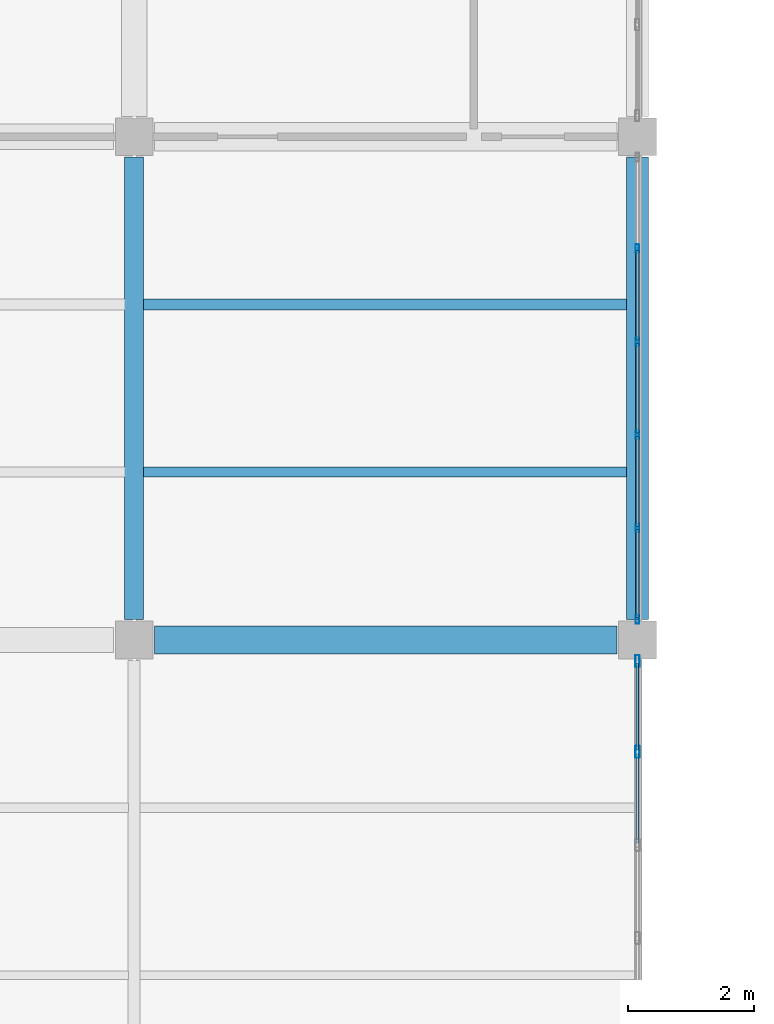
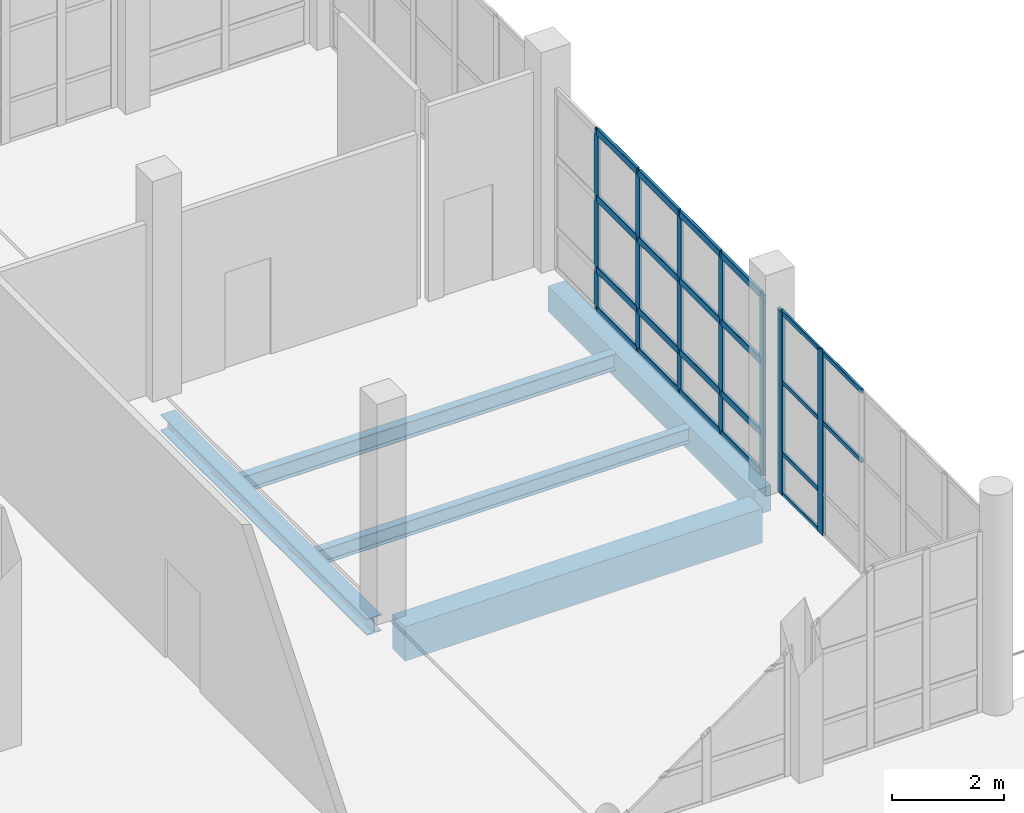
# One storey, part 21 of 156: 29 members, 5 beams, 2 elements without a shape of their own.
"""IFC4 building model written with IfcOpenShell, lengths in metres."""

from ifc_helpers import new_model, si_unit, direction, frame, origin, origin_2d, place, context, subcontext, project, spatial, rectangle, hollow_rectangle, i_section, extrude, material, material_profile, profile_set, type_object, element, aggregate, save


model = new_model("IFC4")

# Units and contexts
model_context = context("Model", 3, precision=1e-05, world=origin(), true_north=direction((0.0, 1.0)))
body_context = subcontext(model_context, "Body", "Model", "MODEL_VIEW")
ifc_project = project(units=[si_unit("LENGTHUNIT", "METRE"), si_unit("AREAUNIT", "SQUARE_METRE"), si_unit("VOLUMEUNIT", "CUBIC_METRE"), si_unit("PLANEANGLEUNIT", "RADIAN"), si_unit("MASSUNIT", "GRAM", prefix="KILO")], contexts=[model_context])

# Site, building, storey
site_placement = place(None, origin())
site = spatial("IfcSite", under=ifc_project, at=site_placement, CompositionType="ELEMENT")
building_placement = place(site_placement, origin())
building = spatial("IfcBuilding", under=site, at=building_placement, Name="Luwemba Playhouse", CompositionType="ELEMENT")
storey_placement = place(building_placement, origin())
storey = spatial("IfcBuildingStorey", under=building, at=storey_placement, Name="L00", CompositionType="ELEMENT", Elevation=0.0)

# Beams
ifc_material_1 = material(Name="Concrete C40/50", Category="concrete")
ifc_material_profile_1 = material_profile(ifc_material_1, rectangle(XDim=0.449951171875, YDim=0.75, at=origin_2d()))
ifc_profile_set_1 = profile_set([ifc_material_profile_1], Name="Concrete C40/50")
beam_type_1 = type_object("IfcBeamType", Name="BM-RB04", PredefinedType="BEAM", material=ifc_profile_set_1)
beam_1_placement = place(storey_placement, frame((52.324951171875, 11.0, -0.675048828125), z_axis=(1.0, 0.0, 0.0), x_axis=(0.0, 1.0, 0.0)))
element("IfcBeam", 1, at=beam_1_placement, inside=storey, type_object=beam_type_1, Name="L00 grid girder 0163", PredefinedType="BEAM", context=body_context, shape_type="SweptSolid", body=[
    extrude(rectangle(XDim=0.449951171875, YDim=0.75, at=origin_2d()), origin(), (0.0, 0.0, 1.0), 7.35009765625),
])
ifc_material_2 = material(Name="Steel S355", Category="steel")
ifc_material_profile_2 = material_profile(ifc_material_2, i_section(OverallWidth=0.300048828125, OverallDepth=0.360107421875, WebThickness=0.012451171875, FlangeThickness=0.0224609375, FilletRadius=0.027099609375, at=origin_2d()))
ifc_profile_set_2 = profile_set([ifc_material_profile_2], Name="Steel S355")
beam_type_2 = type_object("IfcBeamType", Name="BM-SB09", PredefinedType="BEAM", material=ifc_profile_set_2)
beam_2_placement = place(storey_placement, frame((52.0, 11.324951171875, -0.47998046875), z_axis=(0.0, 1.0, 0.0), x_axis=(-1.0, 0.0, 0.0)))
element("IfcBeam", 2, at=beam_2_placement, inside=storey, type_object=beam_type_2, Name="L00 transverse girder 0197", PredefinedType="BEAM", context=body_context, shape_type="SweptSolid", body=[
    extrude(i_section(OverallWidth=0.300048828125, OverallDepth=0.360107421875, WebThickness=0.012451171875, FlangeThickness=0.0224609375, FilletRadius=0.027099609375, at=origin_2d()), origin(), (0.0, 0.0, 1.0), 7.35009765625),
])
ifc_material_profile_3 = material_profile(ifc_material_2, i_section(OverallWidth=0.159912109375, OverallDepth=0.330078125, WebThickness=0.007568359375, FlangeThickness=0.011474609375, FilletRadius=0.01806640625, at=origin_2d()))
ifc_profile_set_3 = profile_set([ifc_material_profile_3], Name="Steel S355")
beam_type_3 = type_object("IfcBeamType", Name="BM-SJ06", PredefinedType="JOIST", material=ifc_profile_set_3)
beam_3_placement = place(storey_placement, frame((52.14599609375, 13.666748046875, -0.465087890625), z_axis=(1.0, 0.0, 0.0), x_axis=(0.0, 1.0, 0.0)))
element("IfcBeam", 3, at=beam_3_placement, inside=storey, type_object=beam_type_3, Name="L00 composite floor joist 0152", PredefinedType="JOIST", context=body_context, shape_type="SweptSolid", body=[
    extrude(i_section(OverallWidth=0.159912109375, OverallDepth=0.330078125, WebThickness=0.007568359375, FlangeThickness=0.011474609375, FilletRadius=0.01806640625, at=origin_2d()), origin(), (0.0, 0.0, 1.0), 7.68310546875),
])
ifc_material_profile_4 = material_profile(ifc_material_2, i_section(OverallWidth=0.169921875, OverallDepth=0.360107421875, WebThickness=0.008056640625, FlangeThickness=0.0126953125, FilletRadius=0.01806640625, at=origin_2d()))
ifc_profile_set_4 = profile_set([ifc_material_profile_4], Name="Steel S355")
beam_type_4 = type_object("IfcBeamType", Name="BM-SJ07", PredefinedType="JOIST", material=ifc_profile_set_4)
beam_4_placement = place(storey_placement, frame((52.14599609375, 16.333251953125, -0.47998046875), z_axis=(1.0, 0.0, 0.0), x_axis=(0.0, 1.0, 0.0)))
element("IfcBeam", 4, at=beam_4_placement, inside=storey, type_object=beam_type_4, Name="L00 composite floor joist 0153", PredefinedType="JOIST", context=body_context, shape_type="SweptSolid", body=[
    extrude(i_section(OverallWidth=0.169921875, OverallDepth=0.360107421875, WebThickness=0.008056640625, FlangeThickness=0.0126953125, FilletRadius=0.01806640625, at=origin_2d()), origin(), (0.0, 0.0, 1.0), 7.68310546875),
])
ifc_material_profile_5 = material_profile(ifc_material_1, rectangle(XDim=0.35009765625, YDim=0.550048828125, at=origin_2d()))
ifc_profile_set_5 = profile_set([ifc_material_profile_5], Name="Concrete C40/50")
beam_type_5 = type_object("IfcBeamType", Name="BM-SP2", PredefinedType="SPANDREL", material=ifc_profile_set_5)
beam_5_placement = place(storey_placement, frame((60.0, 11.324951171875, -0.574951171875), z_axis=(0.0, 1.0, 0.0), x_axis=(-1.0, 0.0, 0.0)))
element("IfcBeam", 5, at=beam_5_placement, inside=storey, type_object=beam_type_5, Name="L00 transverse girder 0200", PredefinedType="SPANDREL", context=body_context, shape_type="SweptSolid", body=[
    extrude(rectangle(XDim=0.35009765625, YDim=0.550048828125, at=origin_2d()), origin(), (0.0, 0.0, 1.0), 7.35009765625),
])

# Curtain wall, members
ifc_material_3 = material(Name="Solar-control double glazing", Category="glass")
curtain_wall_type_1 = type_object("IfcCurtainWallType", Name="CW-CW37", PredefinedType="USERDEFINED", material=ifc_material_3)
curtain_wall_1_placement = place(storey_placement, origin())
curtain_wall_1 = element("IfcCurtainWall", 6, at=curtain_wall_1_placement, inside=storey, type_object=curtain_wall_type_1, Name="L00 V5W unitised curtain wall 041", ObjectType="UNITISED GLAZING", PredefinedType="USERDEFINED")
ifc_material_4 = material(Name="Aluminium 6063-T6", Category="aluminium")
ifc_material_profile_6 = material_profile(ifc_material_4, hollow_rectangle(XDim=0.054931640625, YDim=0.139892578125, WallThickness=0.00390625, InnerFilletRadius=0.006103515625, OuterFilletRadius=0.010009765625, at=origin_2d()))
ifc_profile_set_6 = profile_set([ifc_material_profile_6], Name="Aluminium 6063-T6")
member_type_1 = type_object("IfcMemberType", Name="CWM-M3", PredefinedType="MULLION", material=ifc_profile_set_6)
member_1_placement = place(storey_placement, frame((60.0, 17.219970703125, 0.0), z_axis=(0.0, 0.0, 1.0), x_axis=(1.0, 0.0, 0.0)))
member_1 = element("IfcMember", 7, at=member_1_placement, type_object=member_type_1, Name="CW37 mullion 2", PredefinedType="MULLION", context=body_context, shape_type="SweptSolid", body=[
    extrude(hollow_rectangle(XDim=0.054931640625, YDim=0.139892578125, WallThickness=0.00390625, InnerFilletRadius=0.006103515625, OuterFilletRadius=0.010009765625, at=origin_2d()), origin(), (0.0, 0.0, 1.0), 3.93505859375),
])
member_2_placement = place(storey_placement, frame((60.0, 15.739990234375, 0.0), z_axis=(0.0, 0.0, 1.0), x_axis=(1.0, 0.0, 0.0)))
member_2 = element("IfcMember", 8, at=member_2_placement, type_object=member_type_1, Name="CW37 mullion 3", PredefinedType="MULLION", context=body_context, shape_type="SweptSolid", body=[
    extrude(hollow_rectangle(XDim=0.054931640625, YDim=0.139892578125, WallThickness=0.00390625, InnerFilletRadius=0.006103515625, OuterFilletRadius=0.010009765625, at=origin_2d()), origin(), (0.0, 0.0, 1.0), 3.93505859375),
])
member_3_placement = place(storey_placement, frame((60.0, 14.260009765625, 0.0), z_axis=(0.0, 0.0, 1.0), x_axis=(1.0, 0.0, 0.0)))
member_3 = element("IfcMember", 9, at=member_3_placement, type_object=member_type_1, Name="CW37 mullion 4", PredefinedType="MULLION", context=body_context, shape_type="SweptSolid", body=[
    extrude(hollow_rectangle(XDim=0.054931640625, YDim=0.139892578125, WallThickness=0.00390625, InnerFilletRadius=0.006103515625, OuterFilletRadius=0.010009765625, at=origin_2d()), origin(), (0.0, 0.0, 1.0), 3.93505859375),
])
member_4_placement = place(storey_placement, frame((60.0, 12.780029296875, 0.0), z_axis=(0.0, 0.0, 1.0), x_axis=(1.0, 0.0, 0.0)))
member_4 = element("IfcMember", 10, at=member_4_placement, type_object=member_type_1, Name="CW37 mullion 5", PredefinedType="MULLION", context=body_context, shape_type="SweptSolid", body=[
    extrude(hollow_rectangle(XDim=0.054931640625, YDim=0.139892578125, WallThickness=0.00390625, InnerFilletRadius=0.006103515625, OuterFilletRadius=0.010009765625, at=origin_2d()), origin(), (0.0, 0.0, 1.0), 3.93505859375),
])
member_5_placement = place(storey_placement, frame((60.0, 11.327392578125, 0.0), z_axis=(0.0, 0.0, 1.0), x_axis=(1.0, 0.0, 0.0)))
member_5 = element("IfcMember", 11, at=member_5_placement, type_object=member_type_1, Name="CW37 mullion 6", PredefinedType="MULLION", context=body_context, shape_type="SweptSolid", body=[
    extrude(hollow_rectangle(XDim=0.054931640625, YDim=0.139892578125, WallThickness=0.00390625, InnerFilletRadius=0.006103515625, OuterFilletRadius=0.010009765625, at=origin_2d()), origin(), (0.0, 0.0, 1.0), 3.93505859375),
])

curtain_wall_type_2 = type_object("IfcCurtainWallType", Name="CW-CW38", PredefinedType="USERDEFINED", material=ifc_material_3)
curtain_wall_2_placement = place(storey_placement, origin())
curtain_wall_2 = element("IfcCurtainWall", 12, at=curtain_wall_2_placement, inside=storey, type_object=curtain_wall_type_2, Name="L00 V5W unitised curtain wall 042", ObjectType="UNITISED GLAZING", PredefinedType="USERDEFINED")
ifc_material_profile_7 = material_profile(ifc_material_4, hollow_rectangle(XDim=0.070068359375, YDim=0.18994140625, WallThickness=0.0048828125, InnerFilletRadius=0.007568359375, OuterFilletRadius=0.012451171875, at=origin_2d()))
ifc_profile_set_7 = profile_set([ifc_material_profile_7], Name="Aluminium 6063-T6")
member_type_2 = type_object("IfcMemberType", Name="CWM-M4", PredefinedType="MULLION", material=ifc_profile_set_7)
member_6_placement = place(storey_placement, frame((60.0, 10.6650390625, 0.0), z_axis=(0.0, 0.0, 1.0), x_axis=(1.0, 0.0, 0.0)))
member_6 = element("IfcMember", 13, at=member_6_placement, type_object=member_type_2, Name="CW38 mullion 1", PredefinedType="MULLION", context=body_context, shape_type="SweptSolid", body=[
    extrude(hollow_rectangle(XDim=0.070068359375, YDim=0.18994140625, WallThickness=0.0048828125, InnerFilletRadius=0.007568359375, OuterFilletRadius=0.012451171875, at=origin_2d()), origin(), (0.0, 0.0, 1.0), 3.985107421875),
])
member_7_placement = place(storey_placement, frame((60.0, 9.219970703125, 0.0), z_axis=(0.0, 0.0, 1.0), x_axis=(1.0, 0.0, 0.0)))
member_7 = element("IfcMember", 14, at=member_7_placement, type_object=member_type_2, Name="CW38 mullion 2", PredefinedType="MULLION", context=body_context, shape_type="SweptSolid", body=[
    extrude(hollow_rectangle(XDim=0.070068359375, YDim=0.18994140625, WallThickness=0.0048828125, InnerFilletRadius=0.007568359375, OuterFilletRadius=0.012451171875, at=origin_2d()), origin(), (0.0, 0.0, 1.0), 3.985107421875),
])

# Member
ifc_material_profile_8 = material_profile(ifc_material_4, hollow_rectangle(XDim=0.06494140625, YDim=0.14990234375, WallThickness=0.00390625, InnerFilletRadius=0.006103515625, OuterFilletRadius=0.010009765625, at=origin_2d()))
ifc_profile_set_8 = profile_set([ifc_material_profile_8], Name="Aluminium 6063-T6")
member_type_3 = type_object("IfcMemberType", Name="CWT-T3", PredefinedType="USERDEFINED", material=ifc_profile_set_8)
member_8_placement = place(storey_placement, frame((60.0, 17.1923828125, 0.032470703125), z_axis=(0.0, -1.0, 0.0), x_axis=(1.0, 0.0, 0.0)))
member_8 = element("IfcMember", 15, at=member_8_placement, type_object=member_type_3, Name="CW37 transom 2.1", ObjectType="TRANSOM", PredefinedType="USERDEFINED", context=body_context, shape_type="SweptSolid", body=[
    extrude(hollow_rectangle(XDim=0.06494140625, YDim=0.14990234375, WallThickness=0.00390625, InnerFilletRadius=0.006103515625, OuterFilletRadius=0.010009765625, at=origin_2d()), origin(), (0.0, 0.0, 1.0), 1.4248046875),
])

member_9_placement = place(storey_placement, frame((60.0, 17.1923828125, 0.89990234375), z_axis=(0.0, -1.0, 0.0), x_axis=(1.0, 0.0, 0.0)))
member_9 = element("IfcMember", 16, at=member_9_placement, type_object=member_type_3, Name="CW37 transom 2.2", ObjectType="TRANSOM", PredefinedType="USERDEFINED", context=body_context, shape_type="SweptSolid", body=[
    extrude(hollow_rectangle(XDim=0.06494140625, YDim=0.14990234375, WallThickness=0.00390625, InnerFilletRadius=0.006103515625, OuterFilletRadius=0.010009765625, at=origin_2d()), origin(), (0.0, 0.0, 1.0), 1.4248046875),
])

member_10_placement = place(storey_placement, frame((60.0, 17.1923828125, 2.449951171875), z_axis=(0.0, -1.0, 0.0), x_axis=(1.0, 0.0, 0.0)))
member_10 = element("IfcMember", 17, at=member_10_placement, type_object=member_type_3, Name="CW37 transom 2.3", ObjectType="TRANSOM", PredefinedType="USERDEFINED", context=body_context, shape_type="SweptSolid", body=[
    extrude(hollow_rectangle(XDim=0.06494140625, YDim=0.14990234375, WallThickness=0.00390625, InnerFilletRadius=0.006103515625, OuterFilletRadius=0.010009765625, at=origin_2d()), origin(), (0.0, 0.0, 1.0), 1.4248046875),
])

member_11_placement = place(storey_placement, frame((60.0, 17.1923828125, 3.902587890625), z_axis=(0.0, -1.0, 0.0), x_axis=(1.0, 0.0, 0.0)))
member_11 = element("IfcMember", 18, at=member_11_placement, type_object=member_type_3, Name="CW37 transom 2.4", ObjectType="TRANSOM", PredefinedType="USERDEFINED", context=body_context, shape_type="SweptSolid", body=[
    extrude(hollow_rectangle(XDim=0.06494140625, YDim=0.14990234375, WallThickness=0.00390625, InnerFilletRadius=0.006103515625, OuterFilletRadius=0.010009765625, at=origin_2d()), origin(), (0.0, 0.0, 1.0), 1.4248046875),
])

member_12_placement = place(storey_placement, frame((60.0, 15.71240234375, 0.032470703125), z_axis=(0.0, -1.0, 0.0), x_axis=(1.0, 0.0, 0.0)))
member_12 = element("IfcMember", 19, at=member_12_placement, type_object=member_type_3, Name="CW37 transom 3.1", ObjectType="TRANSOM", PredefinedType="USERDEFINED", context=body_context, shape_type="SweptSolid", body=[
    extrude(hollow_rectangle(XDim=0.06494140625, YDim=0.14990234375, WallThickness=0.00390625, InnerFilletRadius=0.006103515625, OuterFilletRadius=0.010009765625, at=origin_2d()), origin(), (0.0, 0.0, 1.0), 1.4248046875),
])

member_13_placement = place(storey_placement, frame((60.0, 15.71240234375, 0.89990234375), z_axis=(0.0, -1.0, 0.0), x_axis=(1.0, 0.0, 0.0)))
member_13 = element("IfcMember", 20, at=member_13_placement, type_object=member_type_3, Name="CW37 transom 3.2", ObjectType="TRANSOM", PredefinedType="USERDEFINED", context=body_context, shape_type="SweptSolid", body=[
    extrude(hollow_rectangle(XDim=0.06494140625, YDim=0.14990234375, WallThickness=0.00390625, InnerFilletRadius=0.006103515625, OuterFilletRadius=0.010009765625, at=origin_2d()), origin(), (0.0, 0.0, 1.0), 1.4248046875),
])

member_14_placement = place(storey_placement, frame((60.0, 15.71240234375, 2.449951171875), z_axis=(0.0, -1.0, 0.0), x_axis=(1.0, 0.0, 0.0)))
member_14 = element("IfcMember", 21, at=member_14_placement, type_object=member_type_3, Name="CW37 transom 3.3", ObjectType="TRANSOM", PredefinedType="USERDEFINED", context=body_context, shape_type="SweptSolid", body=[
    extrude(hollow_rectangle(XDim=0.06494140625, YDim=0.14990234375, WallThickness=0.00390625, InnerFilletRadius=0.006103515625, OuterFilletRadius=0.010009765625, at=origin_2d()), origin(), (0.0, 0.0, 1.0), 1.4248046875),
])

member_15_placement = place(storey_placement, frame((60.0, 15.71240234375, 3.902587890625), z_axis=(0.0, -1.0, 0.0), x_axis=(1.0, 0.0, 0.0)))
member_15 = element("IfcMember", 22, at=member_15_placement, type_object=member_type_3, Name="CW37 transom 3.4", ObjectType="TRANSOM", PredefinedType="USERDEFINED", context=body_context, shape_type="SweptSolid", body=[
    extrude(hollow_rectangle(XDim=0.06494140625, YDim=0.14990234375, WallThickness=0.00390625, InnerFilletRadius=0.006103515625, OuterFilletRadius=0.010009765625, at=origin_2d()), origin(), (0.0, 0.0, 1.0), 1.4248046875),
])

member_16_placement = place(storey_placement, frame((60.0, 14.232421875, 0.032470703125), z_axis=(0.0, -1.0, 0.0), x_axis=(1.0, 0.0, 0.0)))
member_16 = element("IfcMember", 23, at=member_16_placement, type_object=member_type_3, Name="CW37 transom 4.1", ObjectType="TRANSOM", PredefinedType="USERDEFINED", context=body_context, shape_type="SweptSolid", body=[
    extrude(hollow_rectangle(XDim=0.06494140625, YDim=0.14990234375, WallThickness=0.00390625, InnerFilletRadius=0.006103515625, OuterFilletRadius=0.010009765625, at=origin_2d()), origin(), (0.0, 0.0, 1.0), 1.4248046875),
])

member_17_placement = place(storey_placement, frame((60.0, 14.232421875, 0.89990234375), z_axis=(0.0, -1.0, 0.0), x_axis=(1.0, 0.0, 0.0)))
member_17 = element("IfcMember", 24, at=member_17_placement, type_object=member_type_3, Name="CW37 transom 4.2", ObjectType="TRANSOM", PredefinedType="USERDEFINED", context=body_context, shape_type="SweptSolid", body=[
    extrude(hollow_rectangle(XDim=0.06494140625, YDim=0.14990234375, WallThickness=0.00390625, InnerFilletRadius=0.006103515625, OuterFilletRadius=0.010009765625, at=origin_2d()), origin(), (0.0, 0.0, 1.0), 1.4248046875),
])

member_18_placement = place(storey_placement, frame((60.0, 14.232421875, 2.449951171875), z_axis=(0.0, -1.0, 0.0), x_axis=(1.0, 0.0, 0.0)))
member_18 = element("IfcMember", 25, at=member_18_placement, type_object=member_type_3, Name="CW37 transom 4.3", ObjectType="TRANSOM", PredefinedType="USERDEFINED", context=body_context, shape_type="SweptSolid", body=[
    extrude(hollow_rectangle(XDim=0.06494140625, YDim=0.14990234375, WallThickness=0.00390625, InnerFilletRadius=0.006103515625, OuterFilletRadius=0.010009765625, at=origin_2d()), origin(), (0.0, 0.0, 1.0), 1.4248046875),
])

member_19_placement = place(storey_placement, frame((60.0, 14.232421875, 3.902587890625), z_axis=(0.0, -1.0, 0.0), x_axis=(1.0, 0.0, 0.0)))
member_19 = element("IfcMember", 26, at=member_19_placement, type_object=member_type_3, Name="CW37 transom 4.4", ObjectType="TRANSOM", PredefinedType="USERDEFINED", context=body_context, shape_type="SweptSolid", body=[
    extrude(hollow_rectangle(XDim=0.06494140625, YDim=0.14990234375, WallThickness=0.00390625, InnerFilletRadius=0.006103515625, OuterFilletRadius=0.010009765625, at=origin_2d()), origin(), (0.0, 0.0, 1.0), 1.4248046875),
])

member_20_placement = place(storey_placement, frame((60.0, 12.75244140625, 0.032470703125), z_axis=(0.0, -1.0, 0.0), x_axis=(1.0, 0.0, 0.0)))
member_20 = element("IfcMember", 27, at=member_20_placement, type_object=member_type_3, Name="CW37 transom 5.1", ObjectType="TRANSOM", PredefinedType="USERDEFINED", context=body_context, shape_type="SweptSolid", body=[
    extrude(hollow_rectangle(XDim=0.06494140625, YDim=0.14990234375, WallThickness=0.00390625, InnerFilletRadius=0.006103515625, OuterFilletRadius=0.010009765625, at=origin_2d()), origin(), (0.0, 0.0, 1.0), 1.3974609375),
])

member_21_placement = place(storey_placement, frame((60.0, 12.75244140625, 0.89990234375), z_axis=(0.0, -1.0, 0.0), x_axis=(1.0, 0.0, 0.0)))
member_21 = element("IfcMember", 28, at=member_21_placement, type_object=member_type_3, Name="CW37 transom 5.2", ObjectType="TRANSOM", PredefinedType="USERDEFINED", context=body_context, shape_type="SweptSolid", body=[
    extrude(hollow_rectangle(XDim=0.06494140625, YDim=0.14990234375, WallThickness=0.00390625, InnerFilletRadius=0.006103515625, OuterFilletRadius=0.010009765625, at=origin_2d()), origin(), (0.0, 0.0, 1.0), 1.3974609375),
])

member_22_placement = place(storey_placement, frame((60.0, 12.75244140625, 2.449951171875), z_axis=(0.0, -1.0, 0.0), x_axis=(1.0, 0.0, 0.0)))
member_22 = element("IfcMember", 29, at=member_22_placement, type_object=member_type_3, Name="CW37 transom 5.3", ObjectType="TRANSOM", PredefinedType="USERDEFINED", context=body_context, shape_type="SweptSolid", body=[
    extrude(hollow_rectangle(XDim=0.06494140625, YDim=0.14990234375, WallThickness=0.00390625, InnerFilletRadius=0.006103515625, OuterFilletRadius=0.010009765625, at=origin_2d()), origin(), (0.0, 0.0, 1.0), 1.3974609375),
])

member_23_placement = place(storey_placement, frame((60.0, 12.75244140625, 3.902587890625), z_axis=(0.0, -1.0, 0.0), x_axis=(1.0, 0.0, 0.0)))
member_23 = element("IfcMember", 30, at=member_23_placement, type_object=member_type_3, Name="CW37 transom 5.4", ObjectType="TRANSOM", PredefinedType="USERDEFINED", context=body_context, shape_type="SweptSolid", body=[
    extrude(hollow_rectangle(XDim=0.06494140625, YDim=0.14990234375, WallThickness=0.00390625, InnerFilletRadius=0.006103515625, OuterFilletRadius=0.010009765625, at=origin_2d()), origin(), (0.0, 0.0, 1.0), 1.3974609375),
])

aggregate(curtain_wall_1, [member_1, member_2, member_3, member_4, member_5, member_8, member_9, member_10, member_11, member_12, member_13, member_14, member_15, member_16, member_17, member_18, member_19, member_20, member_21, member_22, member_23])

ifc_material_profile_9 = material_profile(ifc_material_4, hollow_rectangle(XDim=0.050048828125, YDim=0.10009765625, WallThickness=0.00341796875, InnerFilletRadius=0.00537109375, OuterFilletRadius=0.0087890625, at=origin_2d()))
ifc_profile_set_9 = profile_set([ifc_material_profile_9], Name="Aluminium 6063-T6")
member_type_4 = type_object("IfcMemberType", Name="CWT-T4", PredefinedType="USERDEFINED", material=ifc_profile_set_9)
member_24_placement = place(storey_placement, frame((60.0, 10.6298828125, 0.02490234375), z_axis=(0.0, -1.0, 0.0), x_axis=(1.0, 0.0, 0.0)))
member_24 = element("IfcMember", 31, at=member_24_placement, type_object=member_type_4, Name="CW38 transom 1.1", ObjectType="TRANSOM", PredefinedType="USERDEFINED", context=body_context, shape_type="SweptSolid", body=[
    extrude(hollow_rectangle(XDim=0.050048828125, YDim=0.10009765625, WallThickness=0.00341796875, InnerFilletRadius=0.00537109375, OuterFilletRadius=0.0087890625, at=origin_2d()), origin(), (0.0, 0.0, 1.0), 1.375),
])

member_25_placement = place(storey_placement, frame((60.0, 10.6298828125, 0.89990234375), z_axis=(0.0, -1.0, 0.0), x_axis=(1.0, 0.0, 0.0)))
member_25 = element("IfcMember", 32, at=member_25_placement, type_object=member_type_4, Name="CW38 transom 1.2", ObjectType="TRANSOM", PredefinedType="USERDEFINED", context=body_context, shape_type="SweptSolid", body=[
    extrude(hollow_rectangle(XDim=0.050048828125, YDim=0.10009765625, WallThickness=0.00341796875, InnerFilletRadius=0.00537109375, OuterFilletRadius=0.0087890625, at=origin_2d()), origin(), (0.0, 0.0, 1.0), 1.375),
])

member_26_placement = place(storey_placement, frame((60.0, 10.6298828125, 2.449951171875), z_axis=(0.0, -1.0, 0.0), x_axis=(1.0, 0.0, 0.0)))
member_26 = element("IfcMember", 33, at=member_26_placement, type_object=member_type_4, Name="CW38 transom 1.3", ObjectType="TRANSOM", PredefinedType="USERDEFINED", context=body_context, shape_type="SweptSolid", body=[
    extrude(hollow_rectangle(XDim=0.050048828125, YDim=0.10009765625, WallThickness=0.00341796875, InnerFilletRadius=0.00537109375, OuterFilletRadius=0.0087890625, at=origin_2d()), origin(), (0.0, 0.0, 1.0), 1.375),
])

member_27_placement = place(storey_placement, frame((60.0, 10.6298828125, 3.9599609375), z_axis=(0.0, -1.0, 0.0), x_axis=(1.0, 0.0, 0.0)))
member_27 = element("IfcMember", 34, at=member_27_placement, type_object=member_type_4, Name="CW38 transom 1.4", ObjectType="TRANSOM", PredefinedType="USERDEFINED", context=body_context, shape_type="SweptSolid", body=[
    extrude(hollow_rectangle(XDim=0.050048828125, YDim=0.10009765625, WallThickness=0.00341796875, InnerFilletRadius=0.00537109375, OuterFilletRadius=0.0087890625, at=origin_2d()), origin(), (0.0, 0.0, 1.0), 1.375),
])

member_28_placement = place(storey_placement, frame((60.0, 9.18505859375, 2.449951171875), z_axis=(0.0, -1.0, 0.0), x_axis=(1.0, 0.0, 0.0)))
member_28 = element("IfcMember", 35, at=member_28_placement, type_object=member_type_4, Name="CW38 transom 2.3", ObjectType="TRANSOM", PredefinedType="USERDEFINED", context=body_context, shape_type="SweptSolid", body=[
    extrude(hollow_rectangle(XDim=0.050048828125, YDim=0.10009765625, WallThickness=0.00341796875, InnerFilletRadius=0.00537109375, OuterFilletRadius=0.0087890625, at=origin_2d()), origin(), (0.0, 0.0, 1.0), 1.41015625),
])

member_29_placement = place(storey_placement, frame((60.0, 9.18505859375, 3.9599609375), z_axis=(0.0, -1.0, 0.0), x_axis=(1.0, 0.0, 0.0)))
member_29 = element("IfcMember", 36, at=member_29_placement, type_object=member_type_4, Name="CW38 transom 2.4", ObjectType="TRANSOM", PredefinedType="USERDEFINED", context=body_context, shape_type="SweptSolid", body=[
    extrude(hollow_rectangle(XDim=0.050048828125, YDim=0.10009765625, WallThickness=0.00341796875, InnerFilletRadius=0.00537109375, OuterFilletRadius=0.0087890625, at=origin_2d()), origin(), (0.0, 0.0, 1.0), 1.41015625),
])

aggregate(curtain_wall_2, [member_6, member_7, member_24, member_25, member_26, member_27, member_28, member_29])

save(model, "model.ifc")
